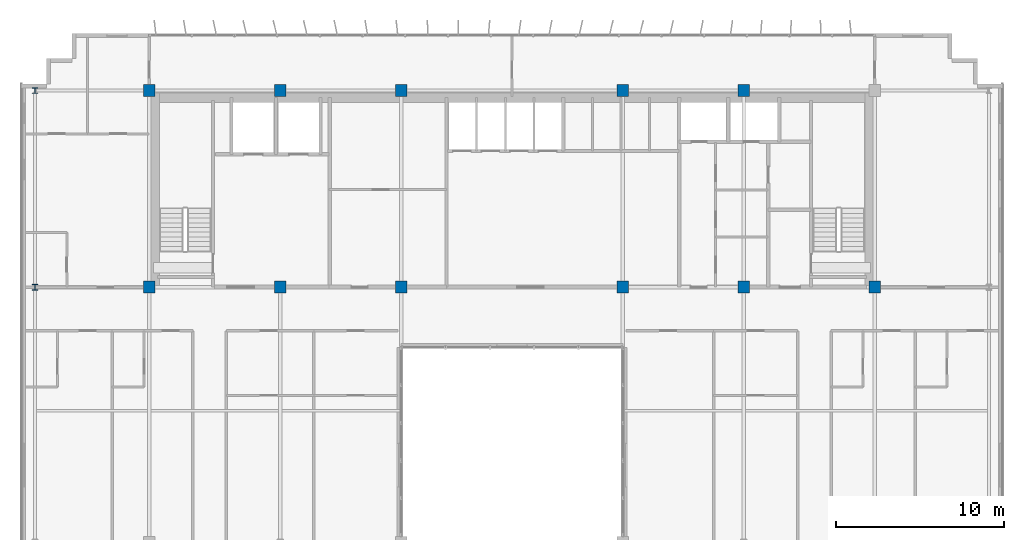
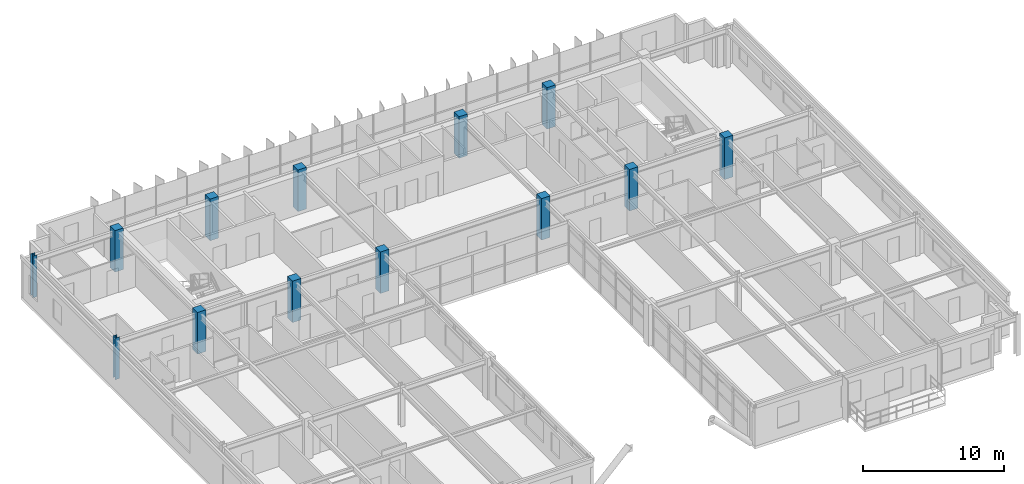
# One storey, part 3 of 35: 13 columns.
"""IFC4 building model written with IfcOpenShell, lengths in metres."""

from ifc_helpers import new_model, si_unit, direction, frame, origin, origin_2d, place, context, subcontext, project, spatial, rectangle, i_section, extrude, source, transform, mapped, material, material_profile, profile_set, type_object, element, save


model = new_model("IFC4")

# Units and contexts
model_context = context("Model", 3, precision=1e-05, world=origin(), true_north=direction((0.0, 1.0)))
body_context = subcontext(model_context, "Body", "Model", "MODEL_VIEW")
ifc_project = project(units=[si_unit("LENGTHUNIT", "METRE"), si_unit("AREAUNIT", "SQUARE_METRE"), si_unit("VOLUMEUNIT", "CUBIC_METRE"), si_unit("PLANEANGLEUNIT", "RADIAN"), si_unit("MASSUNIT", "GRAM", prefix="KILO")], contexts=[model_context])

# Site, building, storey
site_placement = place(None, origin())
site = spatial("IfcSite", under=ifc_project, at=site_placement, CompositionType="ELEMENT")
building_placement = place(site_placement, origin())
building = spatial("IfcBuilding", under=site, at=building_placement, Name="Trelvane Seafront Commons", CompositionType="ELEMENT")
storey_placement = place(building_placement, frame((0.0, 0.0, 194.10009765625)))
storey = spatial("IfcBuildingStorey", under=building, at=storey_placement, Name="L50", CompositionType="ELEMENT", Elevation=194.10009765625)

# Columns
ifc_material_1 = material(Name="Concrete C50/60", Category="concrete")
ifc_material_profile_1 = material_profile(ifc_material_1, rectangle(XDim=0.699951171875, YDim=0.699951171875, at=origin_2d()), Name="RC-700x700")
ifc_profile_set_1 = profile_set([ifc_material_profile_1], Name="Concrete C50/60")
column_type_1 = type_object("IfcColumnType", Name="STR-COL-RC700", PredefinedType="COLUMN", material=ifc_profile_set_1)
shared_shape_1 = source(origin(), body_context, "Body", "SweptSolid", [
    extrude(rectangle(XDim=0.699951171875, YDim=0.699951171875, at=origin_2d()), origin(), (0.0, 0.0, 1.0), 3.599853515625),
])
for number, where, z_axis, x_axis, name in (
    (1, (15.60009765625, 33.39990234375, 0.0), (0.0, 0.0, 1.0), (1.0, 0.0, 0.0), "L50 Column TC-CS15.6"),
    (2, (15.60009765625, 45.10009765625, 0.0), (0.0, 0.0, 1.0), (1.0, 0.0, 0.0), "L50 Column TC-CN15.6"),
    (3, (23.39990234375, 33.39990234375, 0.0), (0.0, 0.0, 1.0), (1.0, 0.0, 0.0), "L50 Column TC-CS23.4"),
    (4, (23.39990234375, 45.10009765625, 0.0), (0.0, 0.0, 1.0), (1.0, 0.0, 0.0), "L50 Column TC-CN23.4"),
    (5, (30.60009765625, 33.39990234375, 0.0), (0.0, 0.0, 1.0), (1.0, 0.0, 0.0), "L50 Column TC-CS30.6"),
    (6, (30.60009765625, 45.10009765625, 0.0), (0.0, 0.0, 1.0), (1.0, 0.0, 0.0), "L50 Column TC-CN30.6"),
    (7, (43.800048828125, 33.39990234375, 0.0), (0.0, 0.0, 1.0), (1.0, 0.0, 0.0), "L50 Column TC-CS43.8"),
    (8, (43.800048828125, 45.10009765625, 0.0), (0.0, 0.0, 1.0), (1.0, 0.0, 0.0), "L50 Column TC-CN43.8"),
    (9, (51.0, 33.39990234375, 0.0), (0.0, 0.0, 1.0), (1.0, 0.0, 0.0), "L50 Column TC-CS51.0"),
    (10, (51.0, 45.10009765625, 0.0), (0.0, 0.0, 1.0), (1.0, 0.0, 0.0), "L50 Column TC-CN51.0"),
    (11, (58.800048828125, 33.39990234375, 0.0), (0.0, 0.0, 1.0), (1.0, 0.0, 0.0), "L50 Column TC-CS58.8"),
):
    element("IfcColumn", number, at=place(storey_placement, frame(where, z_axis=z_axis, x_axis=x_axis)), inside=storey, type_object=column_type_1, Name=name, PredefinedType="COLUMN", context=body_context, shape_type="MappedRepresentation", body=[
        mapped(shared_shape_1, transform((0.0, 0.0, 0.0), x_axis=(1.0, 0.0, 0.0), y_axis=(0.0, 1.0, 0.0), z_axis=(0.0, 0.0, 1.0), scale=1.0)),
    ])
ifc_material_2 = material(Name="Steel SM355 (S355)", Category="steel")
ifc_material_profile_2 = material_profile(ifc_material_2, i_section(OverallWidth=0.35009765625, OverallDepth=0.35009765625, WebThickness=0.01806640625, FlangeThickness=0.028076171875, at=origin_2d()), Name="HD-350x350x18x28")
ifc_profile_set_2 = profile_set([ifc_material_profile_2], Name="Steel SM355 (S355)")
column_type_2 = type_object("IfcColumnType", Name="STR-COL-HD350", PredefinedType="COLUMN", material=ifc_profile_set_2)
shared_shape_2 = source(origin(), body_context, "Body", "SweptSolid", [
    extrude(i_section(OverallWidth=0.35009765625, OverallDepth=0.35009765625, WebThickness=0.01806640625, FlangeThickness=0.028076171875, at=origin_2d()), origin(), (0.0, 0.0, 1.0), 3.599853515625),
])
for number, where, z_axis, x_axis, name in (
    (12, (8.800048828125, 33.39990234375, 0.0), (0.0, 0.0, 1.0), (1.0, 0.0, 0.0), "L50 Column TC-CS8.8"),
    (13, (8.800048828125, 45.10009765625, 0.0), (0.0, 0.0, 1.0), (1.0, 0.0, 0.0), "L50 Column TC-CN8.8"),
):
    element("IfcColumn", number, at=place(storey_placement, frame(where, z_axis=z_axis, x_axis=x_axis)), inside=storey, type_object=column_type_2, Name=name, PredefinedType="COLUMN", context=body_context, shape_type="MappedRepresentation", body=[
        mapped(shared_shape_2, transform((0.0, 0.0, 0.0), x_axis=(1.0, 0.0, 0.0), y_axis=(0.0, 1.0, 0.0), z_axis=(0.0, 0.0, 1.0), scale=1.0)),
    ])

save(model, "model.ifc")
